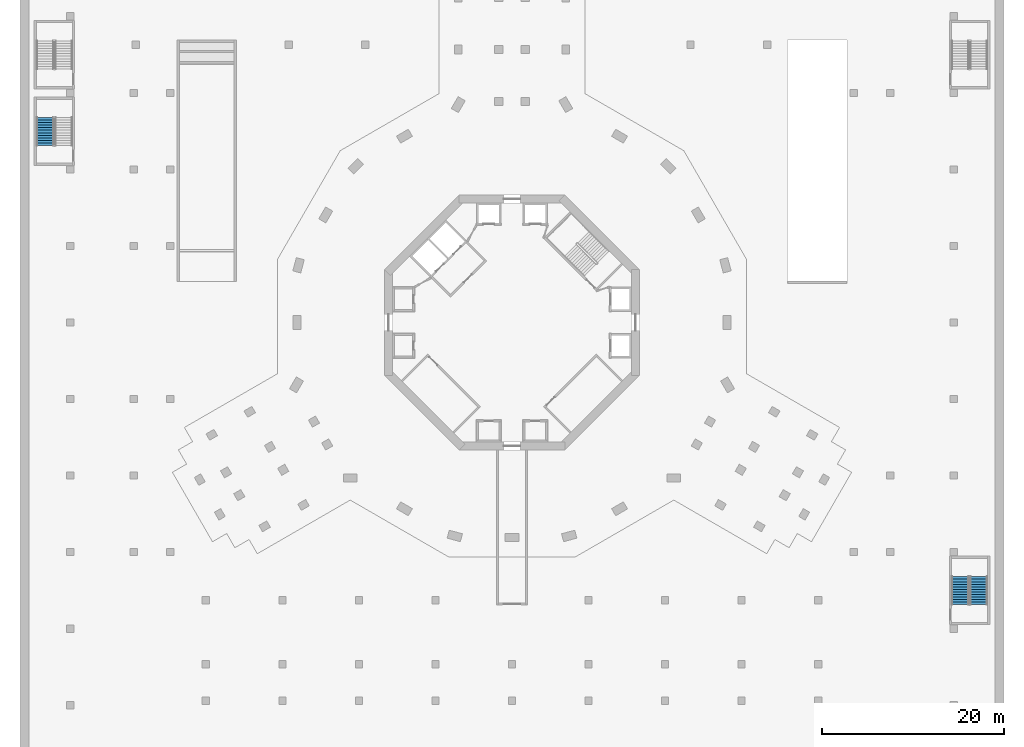
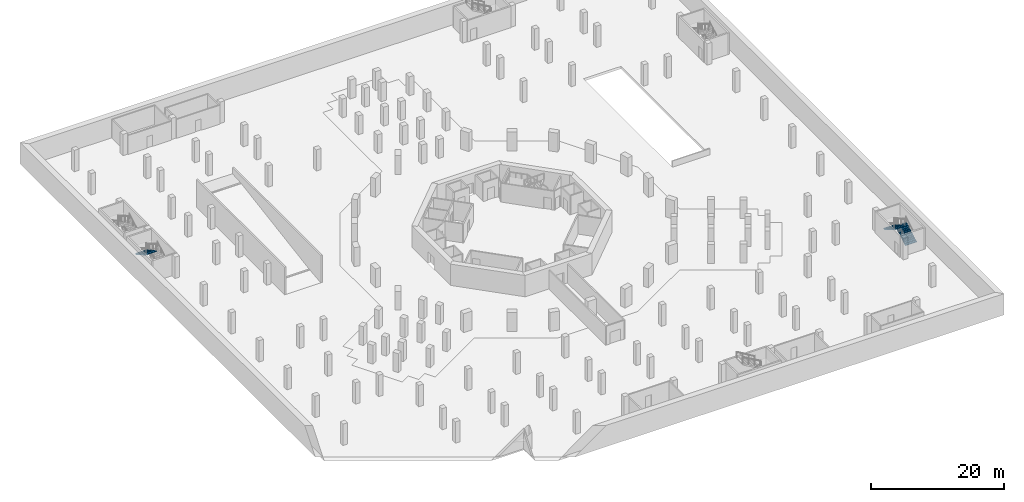
# One storey, part 15 of 25: 3 stair flights, 2 elements without a shape of their own.
"""IFC4 building model written with IfcOpenShell, lengths in metres."""

from ifc_helpers import new_model, si_unit, direction, frame, origin, place, context, subcontext, project, spatial, triangles, material, type_object, element, aggregate, save


model = new_model("IFC4")

# Units and contexts
model_context = context("Model", 3, precision=1e-05, world=origin(), true_north=direction((0.0, 1.0)))
body_context = subcontext(model_context, "Body", "Model", "MODEL_VIEW")
ifc_project = project(units=[si_unit("LENGTHUNIT", "METRE"), si_unit("AREAUNIT", "SQUARE_METRE"), si_unit("VOLUMEUNIT", "CUBIC_METRE"), si_unit("PLANEANGLEUNIT", "RADIAN"), si_unit("MASSUNIT", "GRAM", prefix="KILO")], contexts=[model_context])

# Site, building, storey
site_placement = place(None, origin())
site = spatial("IfcSite", under=ifc_project, at=site_placement, CompositionType="ELEMENT")
building_placement = place(site_placement, origin())
building = spatial("IfcBuilding", under=site, at=building_placement, Name="Verdalira Terraces Hotel", CompositionType="ELEMENT")
storey_placement = place(building_placement, frame((0.0, 0.0, -7.800049)))
storey = spatial("IfcBuildingStorey", under=building, at=storey_placement, Name="B2", CompositionType="ELEMENT", Elevation=-7.800048828125)

# Stair, stair flights
ifc_material_1 = material(Name="Concrete C40", Category="concrete")
stair_type = type_object("IfcStairType", Name="Car park stair 24 risers", PredefinedType="HALF_TURN_STAIR", material=ifc_material_1)
stair_1_placement = place(storey_placement, origin())
stair_1 = element("IfcStair", 1, at=stair_1_placement, inside=storey, type_object=stair_type, Name="B2 Exit stair Basement stair 2", PredefinedType="HALF_TURN_STAIR")
ifc_material_2 = material(Name="Concrete C40", Category="concrete")
stair_flight_type = type_object("IfcStairFlightType", Name="Car park stair flight 24 risers", PredefinedType="STRAIGHT", material=ifc_material_2)
stair_flight_1_placement = place(storey_placement, frame((51.237549, -30.975098, 0.0), z_axis=(0.0, 0.0, 1.0), x_axis=(0.0, 1.0, 0.0)))
stair_flight_1 = element("IfcStairFlight", 2, at=stair_flight_1_placement, type_object=stair_flight_type, Name="Basement stair 2 flight 1", NumberOfRisers=12, NumberOfTreads=11, PredefinedType="STRAIGHT", RiserHeight=0.1625, TreadLength=0.28, context=body_context, shape_type="Tessellation", body=[
    triangles([(0.0, 0.962524, 0.0), (0.298584, 0.962524, 0.0), (3.080078, 0.962524, 1.614258), (0.0, -0.962524, 0.0), (0.298584, -0.962524, 0.0), (3.080078, -0.962524, 1.614258), (3.080078, 0.962524, 1.787598), (2.800049, 0.962524, 1.787598), (3.080078, -0.962524, 1.787598), (2.800049, -0.962524, 1.787598), (2.800049, 0.962524, 1.625), (2.800049, -0.962524, 1.625), (2.52002, 0.962524, 1.625), (2.52002, -0.962524, 1.625), (2.52002, 0.962524, 1.462402), (2.52002, -0.962524, 1.462402), (2.23999, 0.962524, 1.462402), (2.23999, 0.962524, 1.300049), (2.23999, -0.962524, 1.462402), (2.23999, -0.962524, 1.300049), (1.959961, 0.962524, 1.300049), (1.959961, 0.962524, 1.137451), (1.959961, -0.962524, 1.300049), (1.959961, -0.962524, 1.137451), (1.679932, 0.962524, 1.137451), (1.679932, 0.962524, 0.975098), (1.679932, -0.962524, 1.137451), (1.679932, -0.962524, 0.975098), (1.399902, 0.962524, 0.975098), (1.399902, 0.962524, 0.8125), (1.399902, -0.962524, 0.975098), (1.399902, -0.962524, 0.8125), (1.120117, 0.962524, 0.8125), (1.120117, 0.962524, 0.649902), (1.120117, -0.962524, 0.8125), (1.120117, -0.962524, 0.649902), (0.840088, 0.962524, 0.649902), (0.840088, 0.962524, 0.487549), (0.840088, -0.962524, 0.649902), (0.840088, -0.962524, 0.487549), (0.560059, 0.962524, 0.487549), (0.560059, 0.962524, 0.324951), (0.560059, -0.962524, 0.487549), (0.560059, -0.962524, 0.324951), (0.280029, 0.962524, 0.324951), (0.280029, 0.962524, 0.162598), (0.280029, -0.962524, 0.324951), (0.280029, -0.962524, 0.162598), (0.0, 0.962524, 0.162598), (0.0, -0.962524, 0.162598), (0.0, -0.902367, 0.0), (0.0, -0.902367, 0.162598), (0.0, -0.842209, 0.0), (0.0, -0.842209, 0.162598), (0.0, -0.782051, 0.0), (0.0, -0.782051, 0.162598), (0.0, -0.721893, 0.0), (0.0, -0.721893, 0.162598), (0.0, -0.661736, 0.0), (0.0, -0.661736, 0.162598), (0.0, -0.601578, 0.0), (0.0, -0.601578, 0.162598), (0.0, -0.54142, 0.0), (0.0, -0.54142, 0.162598), (0.0, -0.481262, 0.0), (0.0, -0.481262, 0.162598), (0.0, -0.421104, 0.0), (0.0, -0.421104, 0.162598), (0.0, -0.360947, 0.0), (0.0, -0.360947, 0.162598), (0.0, -0.300789, 0.0), (0.0, -0.300789, 0.162598), (0.0, -0.240631, 0.0), (0.0, -0.240631, 0.162598), (0.0, -0.180473, 0.0), (0.0, -0.180473, 0.162598), (0.0, -0.120316, 0.0), (0.0, -0.120316, 0.162598), (0.0, -0.060158, 0.0), (0.0, -0.060158, 0.162598), (0.0, 0.0, 0.0), (0.0, 0.0, 0.162598), (0.0, 0.060158, 0.0), (0.0, 0.060158, 0.162598), (0.0, 0.120316, 0.0), (0.0, 0.120316, 0.162598), (0.0, 0.180473, 0.0), (0.0, 0.180473, 0.162598), (0.0, 0.240631, 0.0), (0.0, 0.240631, 0.162598), (0.0, 0.300789, 0.0), (0.0, 0.300789, 0.162598), (0.0, 0.360947, 0.0), (0.0, 0.360947, 0.162598), (0.0, 0.421104, 0.0), (0.0, 0.421104, 0.162598), (0.0, 0.481262, 0.0), (0.0, 0.481262, 0.162598), (0.0, 0.54142, 0.0), (0.0, 0.54142, 0.162598), (0.0, 0.601578, 0.0), (0.0, 0.601578, 0.162598), (0.0, 0.661736, 0.0), (0.0, 0.661736, 0.162598), (0.0, 0.721893, 0.0), (0.0, 0.721893, 0.162598), (0.0, 0.782051, 0.0), (0.0, 0.782051, 0.162598), (0.0, 0.842209, 0.0), (0.0, 0.842209, 0.162598), (0.0, 0.902367, 0.0), (0.0, 0.902367, 0.162598), (3.080078, -0.902367, 1.787598), (3.080078, -0.842209, 1.787598), (3.080078, -0.782051, 1.787598), (3.080078, -0.721893, 1.787598), (3.080078, -0.661736, 1.787598), (3.080078, -0.601578, 1.787598), (3.080078, -0.54142, 1.787598), (3.080078, -0.481262, 1.787598), (3.080078, -0.421104, 1.787598), (3.080078, -0.360947, 1.787598), (3.080078, -0.300789, 1.787598), (3.080078, -0.240631, 1.787598), (3.080078, -0.180473, 1.787598), (3.080078, -0.120316, 1.787598), (3.080078, -0.060158, 1.787598), (3.080078, 0.0, 1.787598), (3.080078, 0.060158, 1.787598), (3.080078, 0.120316, 1.787598), (3.080078, 0.180473, 1.787598), (3.080078, 0.240631, 1.787598), (3.080078, 0.300789, 1.787598), (3.080078, 0.360947, 1.787598), (3.080078, 0.421104, 1.787598), (3.080078, 0.481262, 1.787598), (3.080078, 0.54142, 1.787598), (3.080078, 0.601578, 1.787598), (3.080078, 0.661736, 1.787598), (3.080078, 0.721893, 1.787598), (3.080078, 0.782051, 1.787598), (3.080078, 0.842209, 1.787598), (3.080078, 0.902367, 1.787598), (3.080078, -0.902367, 1.614258), (3.080078, -0.842209, 1.614258), (3.080078, -0.782051, 1.614258), (3.080078, -0.721893, 1.614258), (3.080078, -0.661736, 1.614258), (3.080078, -0.601578, 1.614258), (3.080078, -0.54142, 1.614258), (3.080078, -0.481262, 1.614258), (3.080078, -0.421104, 1.614258), (3.080078, -0.360947, 1.614258), (3.080078, -0.300789, 1.614258), (3.080078, -0.240631, 1.614258), (3.080078, -0.180473, 1.614258), (3.080078, -0.120316, 1.614258), (3.080078, -0.060158, 1.614258), (3.080078, 0.0, 1.614258), (3.080078, 0.060158, 1.614258), (3.080078, 0.120316, 1.614258), (3.080078, 0.180473, 1.614258), (3.080078, 0.240631, 1.614258), (3.080078, 0.300789, 1.614258), (3.080078, 0.360947, 1.614258), (3.080078, 0.421104, 1.614258), (3.080078, 0.481262, 1.614258), (3.080078, 0.54142, 1.614258), (3.080078, 0.601578, 1.614258), (3.080078, 0.661736, 1.614258), (3.080078, 0.721893, 1.614258), (3.080078, 0.782051, 1.614258), (3.080078, 0.842209, 1.614258), (3.080078, 0.902367, 1.614258)], [[1, 3, 2], [4, 5, 6], [3, 8, 7], [6, 9, 10], [3, 11, 8], [6, 10, 12], [3, 13, 11], [6, 12, 14], [3, 15, 13], [6, 14, 16], [15, 18, 17], [16, 19, 20], [3, 18, 15], [6, 16, 20], [18, 22, 21], [20, 23, 24], [3, 22, 18], [6, 20, 24], [22, 26, 25], [24, 27, 28], [3, 26, 22], [6, 24, 28], [26, 30, 29], [28, 31, 32], [3, 30, 26], [6, 28, 32], [30, 34, 33], [32, 35, 36], [3, 34, 30], [6, 32, 36], [34, 38, 37], [36, 39, 40], [3, 38, 34], [6, 36, 40], [38, 42, 41], [40, 43, 44], [3, 42, 38], [6, 40, 44], [1, 42, 3], [4, 6, 44], [42, 46, 45], [44, 47, 48], [1, 46, 42], [4, 44, 48], [46, 1, 49], [48, 50, 4], [4, 52, 51], [4, 50, 52], [51, 54, 53], [51, 52, 54], [53, 56, 55], [53, 54, 56], [55, 58, 57], [55, 56, 58], [57, 60, 59], [57, 58, 60], [59, 62, 61], [59, 60, 62], [61, 64, 63], [61, 62, 64], [63, 66, 65], [63, 64, 66], [65, 68, 67], [65, 66, 68], [67, 70, 69], [67, 68, 70], [69, 72, 71], [69, 70, 72], [71, 74, 73], [71, 72, 74], [73, 76, 75], [73, 74, 76], [75, 78, 77], [75, 76, 78], [77, 80, 79], [77, 78, 80], [79, 82, 81], [79, 80, 82], [81, 84, 83], [81, 82, 84], [83, 86, 85], [83, 84, 86], [85, 88, 87], [85, 86, 88], [87, 90, 89], [87, 88, 90], [89, 92, 91], [89, 90, 92], [91, 94, 93], [91, 92, 94], [93, 96, 95], [93, 94, 96], [95, 98, 97], [95, 96, 98], [97, 100, 99], [97, 98, 100], [99, 102, 101], [99, 100, 102], [101, 104, 103], [101, 102, 104], [103, 106, 105], [103, 104, 106], [105, 108, 107], [105, 106, 108], [107, 110, 109], [107, 108, 110], [109, 112, 111], [109, 110, 112], [111, 49, 1], [111, 112, 49], [50, 48, 52], [52, 48, 54], [54, 48, 56], [56, 48, 58], [58, 48, 60], [60, 48, 62], [62, 48, 64], [64, 48, 66], [66, 48, 68], [68, 48, 70], [70, 48, 72], [72, 48, 74], [74, 48, 76], [76, 48, 78], [78, 48, 80], [80, 48, 82], [82, 48, 84], [84, 48, 86], [86, 48, 88], [88, 48, 90], [90, 48, 92], [92, 48, 94], [94, 48, 96], [96, 48, 98], [98, 48, 100], [100, 48, 102], [102, 48, 104], [104, 48, 106], [106, 48, 108], [108, 48, 110], [110, 48, 112], [112, 48, 49], [49, 48, 46], [48, 45, 46], [48, 47, 45], [47, 42, 45], [47, 44, 42], [44, 41, 42], [44, 43, 41], [43, 38, 41], [43, 40, 38], [40, 37, 38], [40, 39, 37], [39, 34, 37], [39, 36, 34], [36, 33, 34], [36, 35, 33], [35, 30, 33], [35, 32, 30], [32, 29, 30], [32, 31, 29], [31, 26, 29], [31, 28, 26], [28, 25, 26], [28, 27, 25], [27, 22, 25], [27, 24, 22], [24, 21, 22], [24, 23, 21], [23, 18, 21], [23, 20, 18], [20, 17, 18], [20, 19, 17], [19, 15, 17], [19, 16, 15], [16, 13, 15], [16, 14, 13], [14, 11, 13], [14, 12, 11], [12, 8, 11], [12, 10, 8], [9, 113, 10], [113, 114, 10], [114, 115, 10], [115, 116, 10], [116, 117, 10], [117, 118, 10], [118, 119, 10], [119, 120, 10], [120, 121, 10], [121, 122, 10], [122, 123, 10], [123, 124, 10], [124, 125, 10], [125, 126, 10], [126, 127, 10], [127, 128, 10], [128, 129, 10], [129, 130, 10], [130, 131, 10], [131, 132, 10], [132, 133, 10], [133, 134, 10], [134, 135, 10], [135, 136, 10], [136, 137, 10], [137, 138, 10], [138, 139, 10], [139, 140, 10], [140, 141, 10], [141, 142, 10], [142, 143, 10], [143, 7, 10], [7, 8, 10], [9, 144, 113], [9, 6, 144], [113, 145, 114], [113, 144, 145], [114, 146, 115], [114, 145, 146], [115, 147, 116], [115, 146, 147], [116, 148, 117], [116, 147, 148], [117, 149, 118], [117, 148, 149], [118, 150, 119], [118, 149, 150], [119, 151, 120], [119, 150, 151], [120, 152, 121], [120, 151, 152], [121, 153, 122], [121, 152, 153], [122, 154, 123], [122, 153, 154], [123, 155, 124], [123, 154, 155], [124, 156, 125], [124, 155, 156], [125, 157, 126], [125, 156, 157], [126, 158, 127], [126, 157, 158], [127, 159, 128], [127, 158, 159], [128, 160, 129], [128, 159, 160], [129, 161, 130], [129, 160, 161], [130, 162, 131], [130, 161, 162], [131, 163, 132], [131, 162, 163], [132, 164, 133], [132, 163, 164], [133, 165, 134], [133, 164, 165], [134, 166, 135], [134, 165, 166], [135, 167, 136], [135, 166, 167], [136, 168, 137], [136, 167, 168], [137, 169, 138], [137, 168, 169], [138, 170, 139], [138, 169, 170], [139, 171, 140], [139, 170, 171], [140, 172, 141], [140, 171, 172], [141, 173, 142], [141, 172, 173], [142, 174, 143], [142, 173, 174], [143, 3, 7], [143, 174, 3], [6, 5, 144], [144, 5, 145], [145, 5, 146], [146, 5, 147], [147, 5, 148], [148, 5, 149], [149, 5, 150], [150, 5, 151], [151, 5, 152], [152, 5, 153], [153, 5, 154], [154, 5, 155], [155, 5, 156], [156, 5, 157], [157, 5, 158], [158, 5, 159], [159, 5, 160], [160, 5, 161], [161, 5, 162], [162, 5, 163], [163, 5, 164], [164, 5, 165], [165, 5, 166], [166, 5, 167], [167, 5, 168], [168, 5, 169], [169, 5, 170], [170, 5, 171], [171, 5, 172], [172, 5, 173], [173, 5, 174], [174, 5, 3], [3, 5, 2], [4, 51, 5], [51, 53, 5], [53, 55, 5], [55, 57, 5], [57, 59, 5], [59, 61, 5], [61, 63, 5], [63, 65, 5], [65, 67, 5], [67, 69, 5], [69, 71, 5], [71, 73, 5], [73, 75, 5], [75, 77, 5], [77, 79, 5], [79, 81, 5], [81, 83, 5], [83, 85, 5], [85, 87, 5], [87, 89, 5], [89, 91, 5], [91, 93, 5], [93, 95, 5], [95, 97, 5], [97, 99, 5], [99, 101, 5], [101, 103, 5], [103, 105, 5], [105, 107, 5], [107, 109, 5], [109, 111, 5], [111, 1, 5], [1, 2, 5]], closed=True),
])
stair_flight_2_placement = place(storey_placement, frame((49.212402, -27.89502, 1.949951), z_axis=(0.0, 0.0, 1.0), x_axis=(0.0, -1.0, 0.0)))
stair_flight_2 = element("IfcStairFlight", 3, at=stair_flight_2_placement, type_object=stair_flight_type, Name="Basement stair 2 flight 2", NumberOfRisers=12, NumberOfTreads=11, PredefinedType="STRAIGHT", RiserHeight=0.1625, TreadLength=0.28, context=body_context, shape_type="Tessellation", body=[
    triangles([(0.0, 0.962524, 0.0), (0.298584, 0.962524, 0.0), (3.080078, 0.962524, 1.614258), (0.0, -0.962524, 0.0), (0.298584, -0.962524, 0.0), (3.080078, -0.962524, 1.614258), (3.080078, 0.962524, 1.787598), (2.800049, 0.962524, 1.787598), (3.080078, -0.962524, 1.787598), (2.800049, -0.962524, 1.787598), (2.800049, 0.962524, 1.625), (2.800049, -0.962524, 1.625), (2.52002, 0.962524, 1.625), (2.52002, -0.962524, 1.625), (2.52002, 0.962524, 1.462402), (2.52002, -0.962524, 1.462402), (2.23999, 0.962524, 1.462402), (2.23999, 0.962524, 1.300049), (2.23999, -0.962524, 1.462402), (2.23999, -0.962524, 1.300049), (1.959961, 0.962524, 1.300049), (1.959961, 0.962524, 1.137451), (1.959961, -0.962524, 1.300049), (1.959961, -0.962524, 1.137451), (1.679932, 0.962524, 1.137451), (1.679932, 0.962524, 0.975098), (1.679932, -0.962524, 1.137451), (1.679932, -0.962524, 0.975098), (1.399902, 0.962524, 0.975098), (1.399902, 0.962524, 0.8125), (1.399902, -0.962524, 0.975098), (1.399902, -0.962524, 0.8125), (1.120117, 0.962524, 0.8125), (1.120117, 0.962524, 0.649902), (1.120117, -0.962524, 0.8125), (1.120117, -0.962524, 0.649902), (0.840088, 0.962524, 0.649902), (0.840088, 0.962524, 0.487549), (0.840088, -0.962524, 0.649902), (0.840088, -0.962524, 0.487549), (0.560059, 0.962524, 0.487549), (0.560059, 0.962524, 0.324951), (0.560059, -0.962524, 0.487549), (0.560059, -0.962524, 0.324951), (0.280029, 0.962524, 0.324951), (0.280029, 0.962524, 0.162598), (0.280029, -0.962524, 0.324951), (0.280029, -0.962524, 0.162598), (0.0, 0.962524, 0.162598), (0.0, -0.962524, 0.162598), (0.0, -0.902367, 0.0), (0.0, -0.902367, 0.162598), (0.0, -0.842209, 0.0), (0.0, -0.842209, 0.162598), (0.0, -0.782051, 0.0), (0.0, -0.782051, 0.162598), (0.0, -0.721893, 0.0), (0.0, -0.721893, 0.162598), (0.0, -0.661736, 0.0), (0.0, -0.661736, 0.162598), (0.0, -0.601578, 0.0), (0.0, -0.601578, 0.162598), (0.0, -0.54142, 0.0), (0.0, -0.54142, 0.162598), (0.0, -0.481262, 0.0), (0.0, -0.481262, 0.162598), (0.0, -0.421104, 0.0), (0.0, -0.421104, 0.162598), (0.0, -0.360947, 0.0), (0.0, -0.360947, 0.162598), (0.0, -0.300789, 0.0), (0.0, -0.300789, 0.162598), (0.0, -0.240631, 0.0), (0.0, -0.240631, 0.162598), (0.0, -0.180473, 0.0), (0.0, -0.180473, 0.162598), (0.0, -0.120316, 0.0), (0.0, -0.120316, 0.162598), (0.0, -0.060158, 0.0), (0.0, -0.060158, 0.162598), (0.0, 0.0, 0.0), (0.0, 0.0, 0.162598), (0.0, 0.060158, 0.0), (0.0, 0.060158, 0.162598), (0.0, 0.120316, 0.0), (0.0, 0.120316, 0.162598), (0.0, 0.180473, 0.0), (0.0, 0.180473, 0.162598), (0.0, 0.240631, 0.0), (0.0, 0.240631, 0.162598), (0.0, 0.300789, 0.0), (0.0, 0.300789, 0.162598), (0.0, 0.360947, 0.0), (0.0, 0.360947, 0.162598), (0.0, 0.421104, 0.0), (0.0, 0.421104, 0.162598), (0.0, 0.481262, 0.0), (0.0, 0.481262, 0.162598), (0.0, 0.54142, 0.0), (0.0, 0.54142, 0.162598), (0.0, 0.601578, 0.0), (0.0, 0.601578, 0.162598), (0.0, 0.661736, 0.0), (0.0, 0.661736, 0.162598), (0.0, 0.721893, 0.0), (0.0, 0.721893, 0.162598), (0.0, 0.782051, 0.0), (0.0, 0.782051, 0.162598), (0.0, 0.842209, 0.0), (0.0, 0.842209, 0.162598), (0.0, 0.902367, 0.0), (0.0, 0.902367, 0.162598), (3.080078, -0.902367, 1.787598), (3.080078, -0.842209, 1.787598), (3.080078, -0.782051, 1.787598), (3.080078, -0.721893, 1.787598), (3.080078, -0.661736, 1.787598), (3.080078, -0.601578, 1.787598), (3.080078, -0.54142, 1.787598), (3.080078, -0.481262, 1.787598), (3.080078, -0.421104, 1.787598), (3.080078, -0.360947, 1.787598), (3.080078, -0.300789, 1.787598), (3.080078, -0.240631, 1.787598), (3.080078, -0.180473, 1.787598), (3.080078, -0.120316, 1.787598), (3.080078, -0.060158, 1.787598), (3.080078, 0.0, 1.787598), (3.080078, 0.060158, 1.787598), (3.080078, 0.120316, 1.787598), (3.080078, 0.180473, 1.787598), (3.080078, 0.240631, 1.787598), (3.080078, 0.300789, 1.787598), (3.080078, 0.360947, 1.787598), (3.080078, 0.421104, 1.787598), (3.080078, 0.481262, 1.787598), (3.080078, 0.54142, 1.787598), (3.080078, 0.601578, 1.787598), (3.080078, 0.661736, 1.787598), (3.080078, 0.721893, 1.787598), (3.080078, 0.782051, 1.787598), (3.080078, 0.842209, 1.787598), (3.080078, 0.902367, 1.787598), (3.080078, -0.902367, 1.614258), (3.080078, -0.842209, 1.614258), (3.080078, -0.782051, 1.614258), (3.080078, -0.721893, 1.614258), (3.080078, -0.661736, 1.614258), (3.080078, -0.601578, 1.614258), (3.080078, -0.54142, 1.614258), (3.080078, -0.481262, 1.614258), (3.080078, -0.421104, 1.614258), (3.080078, -0.360947, 1.614258), (3.080078, -0.300789, 1.614258), (3.080078, -0.240631, 1.614258), (3.080078, -0.180473, 1.614258), (3.080078, -0.120316, 1.614258), (3.080078, -0.060158, 1.614258), (3.080078, 0.0, 1.614258), (3.080078, 0.060158, 1.614258), (3.080078, 0.120316, 1.614258), (3.080078, 0.180473, 1.614258), (3.080078, 0.240631, 1.614258), (3.080078, 0.300789, 1.614258), (3.080078, 0.360947, 1.614258), (3.080078, 0.421104, 1.614258), (3.080078, 0.481262, 1.614258), (3.080078, 0.54142, 1.614258), (3.080078, 0.601578, 1.614258), (3.080078, 0.661736, 1.614258), (3.080078, 0.721893, 1.614258), (3.080078, 0.782051, 1.614258), (3.080078, 0.842209, 1.614258), (3.080078, 0.902367, 1.614258)], [[1, 3, 2], [4, 5, 6], [3, 8, 7], [6, 9, 10], [3, 11, 8], [6, 10, 12], [3, 13, 11], [6, 12, 14], [3, 15, 13], [6, 14, 16], [15, 18, 17], [16, 19, 20], [3, 18, 15], [6, 16, 20], [18, 22, 21], [20, 23, 24], [3, 22, 18], [6, 20, 24], [22, 26, 25], [24, 27, 28], [3, 26, 22], [6, 24, 28], [26, 30, 29], [28, 31, 32], [3, 30, 26], [6, 28, 32], [30, 34, 33], [32, 35, 36], [3, 34, 30], [6, 32, 36], [34, 38, 37], [36, 39, 40], [3, 38, 34], [6, 36, 40], [38, 42, 41], [40, 43, 44], [3, 42, 38], [6, 40, 44], [1, 42, 3], [4, 6, 44], [42, 46, 45], [44, 47, 48], [1, 46, 42], [4, 44, 48], [46, 1, 49], [48, 50, 4], [4, 52, 51], [4, 50, 52], [51, 54, 53], [51, 52, 54], [53, 56, 55], [53, 54, 56], [55, 58, 57], [55, 56, 58], [57, 60, 59], [57, 58, 60], [59, 62, 61], [59, 60, 62], [61, 64, 63], [61, 62, 64], [63, 66, 65], [63, 64, 66], [65, 68, 67], [65, 66, 68], [67, 70, 69], [67, 68, 70], [69, 72, 71], [69, 70, 72], [71, 74, 73], [71, 72, 74], [73, 76, 75], [73, 74, 76], [75, 78, 77], [75, 76, 78], [77, 80, 79], [77, 78, 80], [79, 82, 81], [79, 80, 82], [81, 84, 83], [81, 82, 84], [83, 86, 85], [83, 84, 86], [85, 88, 87], [85, 86, 88], [87, 90, 89], [87, 88, 90], [89, 92, 91], [89, 90, 92], [91, 94, 93], [91, 92, 94], [93, 96, 95], [93, 94, 96], [95, 98, 97], [95, 96, 98], [97, 100, 99], [97, 98, 100], [99, 102, 101], [99, 100, 102], [101, 104, 103], [101, 102, 104], [103, 106, 105], [103, 104, 106], [105, 108, 107], [105, 106, 108], [107, 110, 109], [107, 108, 110], [109, 112, 111], [109, 110, 112], [111, 49, 1], [111, 112, 49], [50, 48, 52], [52, 48, 54], [54, 48, 56], [56, 48, 58], [58, 48, 60], [60, 48, 62], [62, 48, 64], [64, 48, 66], [66, 48, 68], [68, 48, 70], [70, 48, 72], [72, 48, 74], [74, 48, 76], [76, 48, 78], [78, 48, 80], [80, 48, 82], [82, 48, 84], [84, 48, 86], [86, 48, 88], [88, 48, 90], [90, 48, 92], [92, 48, 94], [94, 48, 96], [96, 48, 98], [98, 48, 100], [100, 48, 102], [102, 48, 104], [104, 48, 106], [106, 48, 108], [108, 48, 110], [110, 48, 112], [112, 48, 49], [49, 48, 46], [48, 45, 46], [48, 47, 45], [47, 42, 45], [47, 44, 42], [44, 41, 42], [44, 43, 41], [43, 38, 41], [43, 40, 38], [40, 37, 38], [40, 39, 37], [39, 34, 37], [39, 36, 34], [36, 33, 34], [36, 35, 33], [35, 30, 33], [35, 32, 30], [32, 29, 30], [32, 31, 29], [31, 26, 29], [31, 28, 26], [28, 25, 26], [28, 27, 25], [27, 22, 25], [27, 24, 22], [24, 21, 22], [24, 23, 21], [23, 18, 21], [23, 20, 18], [20, 17, 18], [20, 19, 17], [19, 15, 17], [19, 16, 15], [16, 13, 15], [16, 14, 13], [14, 11, 13], [14, 12, 11], [12, 8, 11], [12, 10, 8], [9, 113, 10], [113, 114, 10], [114, 115, 10], [115, 116, 10], [116, 117, 10], [117, 118, 10], [118, 119, 10], [119, 120, 10], [120, 121, 10], [121, 122, 10], [122, 123, 10], [123, 124, 10], [124, 125, 10], [125, 126, 10], [126, 127, 10], [127, 128, 10], [128, 129, 10], [129, 130, 10], [130, 131, 10], [131, 132, 10], [132, 133, 10], [133, 134, 10], [134, 135, 10], [135, 136, 10], [136, 137, 10], [137, 138, 10], [138, 139, 10], [139, 140, 10], [140, 141, 10], [141, 142, 10], [142, 143, 10], [143, 7, 10], [7, 8, 10], [9, 144, 113], [9, 6, 144], [113, 145, 114], [113, 144, 145], [114, 146, 115], [114, 145, 146], [115, 147, 116], [115, 146, 147], [116, 148, 117], [116, 147, 148], [117, 149, 118], [117, 148, 149], [118, 150, 119], [118, 149, 150], [119, 151, 120], [119, 150, 151], [120, 152, 121], [120, 151, 152], [121, 153, 122], [121, 152, 153], [122, 154, 123], [122, 153, 154], [123, 155, 124], [123, 154, 155], [124, 156, 125], [124, 155, 156], [125, 157, 126], [125, 156, 157], [126, 158, 127], [126, 157, 158], [127, 159, 128], [127, 158, 159], [128, 160, 129], [128, 159, 160], [129, 161, 130], [129, 160, 161], [130, 162, 131], [130, 161, 162], [131, 163, 132], [131, 162, 163], [132, 164, 133], [132, 163, 164], [133, 165, 134], [133, 164, 165], [134, 166, 135], [134, 165, 166], [135, 167, 136], [135, 166, 167], [136, 168, 137], [136, 167, 168], [137, 169, 138], [137, 168, 169], [138, 170, 139], [138, 169, 170], [139, 171, 140], [139, 170, 171], [140, 172, 141], [140, 171, 172], [141, 173, 142], [141, 172, 173], [142, 174, 143], [142, 173, 174], [143, 3, 7], [143, 174, 3], [6, 5, 144], [144, 5, 145], [145, 5, 146], [146, 5, 147], [147, 5, 148], [148, 5, 149], [149, 5, 150], [150, 5, 151], [151, 5, 152], [152, 5, 153], [153, 5, 154], [154, 5, 155], [155, 5, 156], [156, 5, 157], [157, 5, 158], [158, 5, 159], [159, 5, 160], [160, 5, 161], [161, 5, 162], [162, 5, 163], [163, 5, 164], [164, 5, 165], [165, 5, 166], [166, 5, 167], [167, 5, 168], [168, 5, 169], [169, 5, 170], [170, 5, 171], [171, 5, 172], [172, 5, 173], [173, 5, 174], [174, 5, 3], [3, 5, 2], [4, 51, 5], [51, 53, 5], [53, 55, 5], [55, 57, 5], [57, 59, 5], [59, 61, 5], [61, 63, 5], [63, 65, 5], [65, 67, 5], [67, 69, 5], [69, 71, 5], [71, 73, 5], [73, 75, 5], [75, 77, 5], [77, 79, 5], [79, 81, 5], [81, 83, 5], [83, 85, 5], [85, 87, 5], [87, 89, 5], [89, 91, 5], [91, 93, 5], [93, 95, 5], [95, 97, 5], [97, 99, 5], [99, 101, 5], [101, 103, 5], [103, 105, 5], [105, 107, 5], [107, 109, 5], [109, 111, 5], [111, 1, 5], [1, 2, 5]], closed=True),
])
aggregate(stair_1, [stair_flight_1, stair_flight_2])

# Stair, stair flight
stair_2_placement = place(storey_placement, origin())
stair_2 = element("IfcStair", 4, at=stair_2_placement, inside=storey, type_object=stair_type, Name="B2 Exit stair Basement stair 7", PredefinedType="HALF_TURN_STAIR")
stair_flight_3_placement = place(storey_placement, frame((-51.237549, 22.504883, 1.949951), z_axis=(0.0, 0.0, 1.0), x_axis=(0.0, -1.0, 0.0)))
stair_flight_3 = element("IfcStairFlight", 5, at=stair_flight_3_placement, type_object=stair_flight_type, Name="Basement stair 7 flight 2", NumberOfRisers=12, NumberOfTreads=11, PredefinedType="STRAIGHT", RiserHeight=0.1625, TreadLength=0.28, context=body_context, shape_type="Tessellation", body=[
    triangles([(0.0, 0.962524, 0.0), (0.298584, 0.962524, 0.0), (3.080078, 0.962524, 1.614258), (0.0, -0.962524, 0.0), (0.298584, -0.962524, 0.0), (3.080078, -0.962524, 1.614258), (3.080078, 0.962524, 1.787598), (2.800049, 0.962524, 1.787598), (3.080078, -0.962524, 1.787598), (2.800049, -0.962524, 1.787598), (2.800049, 0.962524, 1.625), (2.800049, -0.962524, 1.625), (2.52002, 0.962524, 1.625), (2.52002, -0.962524, 1.625), (2.52002, 0.962524, 1.462402), (2.52002, -0.962524, 1.462402), (2.23999, 0.962524, 1.462402), (2.23999, 0.962524, 1.300049), (2.23999, -0.962524, 1.462402), (2.23999, -0.962524, 1.300049), (1.959961, 0.962524, 1.300049), (1.959961, 0.962524, 1.137451), (1.959961, -0.962524, 1.300049), (1.959961, -0.962524, 1.137451), (1.679932, 0.962524, 1.137451), (1.679932, 0.962524, 0.975098), (1.679932, -0.962524, 1.137451), (1.679932, -0.962524, 0.975098), (1.399902, 0.962524, 0.975098), (1.399902, 0.962524, 0.8125), (1.399902, -0.962524, 0.975098), (1.399902, -0.962524, 0.8125), (1.120117, 0.962524, 0.8125), (1.120117, 0.962524, 0.649902), (1.120117, -0.962524, 0.8125), (1.120117, -0.962524, 0.649902), (0.840088, 0.962524, 0.649902), (0.840088, 0.962524, 0.487549), (0.840088, -0.962524, 0.649902), (0.840088, -0.962524, 0.487549), (0.560059, 0.962524, 0.487549), (0.560059, 0.962524, 0.324951), (0.560059, -0.962524, 0.487549), (0.560059, -0.962524, 0.324951), (0.280029, 0.962524, 0.324951), (0.280029, 0.962524, 0.162598), (0.280029, -0.962524, 0.324951), (0.280029, -0.962524, 0.162598), (0.0, 0.962524, 0.162598), (0.0, -0.962524, 0.162598), (0.0, -0.902367, 0.0), (0.0, -0.902367, 0.162598), (0.0, -0.842209, 0.0), (0.0, -0.842209, 0.162598), (0.0, -0.782051, 0.0), (0.0, -0.782051, 0.162598), (0.0, -0.721893, 0.0), (0.0, -0.721893, 0.162598), (0.0, -0.661736, 0.0), (0.0, -0.661736, 0.162598), (0.0, -0.601578, 0.0), (0.0, -0.601578, 0.162598), (0.0, -0.54142, 0.0), (0.0, -0.54142, 0.162598), (0.0, -0.481262, 0.0), (0.0, -0.481262, 0.162598), (0.0, -0.421104, 0.0), (0.0, -0.421104, 0.162598), (0.0, -0.360947, 0.0), (0.0, -0.360947, 0.162598), (0.0, -0.300789, 0.0), (0.0, -0.300789, 0.162598), (0.0, -0.240631, 0.0), (0.0, -0.240631, 0.162598), (0.0, -0.180473, 0.0), (0.0, -0.180473, 0.162598), (0.0, -0.120316, 0.0), (0.0, -0.120316, 0.162598), (0.0, -0.060158, 0.0), (0.0, -0.060158, 0.162598), (0.0, 0.0, 0.0), (0.0, 0.0, 0.162598), (0.0, 0.060158, 0.0), (0.0, 0.060158, 0.162598), (0.0, 0.120316, 0.0), (0.0, 0.120316, 0.162598), (0.0, 0.180473, 0.0), (0.0, 0.180473, 0.162598), (0.0, 0.240631, 0.0), (0.0, 0.240631, 0.162598), (0.0, 0.300789, 0.0), (0.0, 0.300789, 0.162598), (0.0, 0.360947, 0.0), (0.0, 0.360947, 0.162598), (0.0, 0.421104, 0.0), (0.0, 0.421104, 0.162598), (0.0, 0.481262, 0.0), (0.0, 0.481262, 0.162598), (0.0, 0.54142, 0.0), (0.0, 0.54142, 0.162598), (0.0, 0.601578, 0.0), (0.0, 0.601578, 0.162598), (0.0, 0.661736, 0.0), (0.0, 0.661736, 0.162598), (0.0, 0.721893, 0.0), (0.0, 0.721893, 0.162598), (0.0, 0.782051, 0.0), (0.0, 0.782051, 0.162598), (0.0, 0.842209, 0.0), (0.0, 0.842209, 0.162598), (0.0, 0.902367, 0.0), (0.0, 0.902367, 0.162598), (3.080078, -0.902367, 1.787598), (3.080078, -0.842209, 1.787598), (3.080078, -0.782051, 1.787598), (3.080078, -0.721893, 1.787598), (3.080078, -0.661736, 1.787598), (3.080078, -0.601578, 1.787598), (3.080078, -0.54142, 1.787598), (3.080078, -0.481262, 1.787598), (3.080078, -0.421104, 1.787598), (3.080078, -0.360947, 1.787598), (3.080078, -0.300789, 1.787598), (3.080078, -0.240631, 1.787598), (3.080078, -0.180473, 1.787598), (3.080078, -0.120316, 1.787598), (3.080078, -0.060158, 1.787598), (3.080078, 0.0, 1.787598), (3.080078, 0.060158, 1.787598), (3.080078, 0.120316, 1.787598), (3.080078, 0.180473, 1.787598), (3.080078, 0.240631, 1.787598), (3.080078, 0.300789, 1.787598), (3.080078, 0.360947, 1.787598), (3.080078, 0.421104, 1.787598), (3.080078, 0.481262, 1.787598), (3.080078, 0.54142, 1.787598), (3.080078, 0.601578, 1.787598), (3.080078, 0.661736, 1.787598), (3.080078, 0.721893, 1.787598), (3.080078, 0.782051, 1.787598), (3.080078, 0.842209, 1.787598), (3.080078, 0.902367, 1.787598), (3.080078, -0.902367, 1.614258), (3.080078, -0.842209, 1.614258), (3.080078, -0.782051, 1.614258), (3.080078, -0.721893, 1.614258), (3.080078, -0.661736, 1.614258), (3.080078, -0.601578, 1.614258), (3.080078, -0.54142, 1.614258), (3.080078, -0.481262, 1.614258), (3.080078, -0.421104, 1.614258), (3.080078, -0.360947, 1.614258), (3.080078, -0.300789, 1.614258), (3.080078, -0.240631, 1.614258), (3.080078, -0.180473, 1.614258), (3.080078, -0.120316, 1.614258), (3.080078, -0.060158, 1.614258), (3.080078, 0.0, 1.614258), (3.080078, 0.060158, 1.614258), (3.080078, 0.120316, 1.614258), (3.080078, 0.180473, 1.614258), (3.080078, 0.240631, 1.614258), (3.080078, 0.300789, 1.614258), (3.080078, 0.360947, 1.614258), (3.080078, 0.421104, 1.614258), (3.080078, 0.481262, 1.614258), (3.080078, 0.54142, 1.614258), (3.080078, 0.601578, 1.614258), (3.080078, 0.661736, 1.614258), (3.080078, 0.721893, 1.614258), (3.080078, 0.782051, 1.614258), (3.080078, 0.842209, 1.614258), (3.080078, 0.902367, 1.614258)], [[1, 3, 2], [4, 5, 6], [3, 8, 7], [6, 9, 10], [3, 11, 8], [6, 10, 12], [3, 13, 11], [6, 12, 14], [3, 15, 13], [6, 14, 16], [15, 18, 17], [16, 19, 20], [3, 18, 15], [6, 16, 20], [18, 22, 21], [20, 23, 24], [3, 22, 18], [6, 20, 24], [22, 26, 25], [24, 27, 28], [3, 26, 22], [6, 24, 28], [26, 30, 29], [28, 31, 32], [3, 30, 26], [6, 28, 32], [30, 34, 33], [32, 35, 36], [3, 34, 30], [6, 32, 36], [34, 38, 37], [36, 39, 40], [3, 38, 34], [6, 36, 40], [38, 42, 41], [40, 43, 44], [3, 42, 38], [6, 40, 44], [1, 42, 3], [4, 6, 44], [42, 46, 45], [44, 47, 48], [1, 46, 42], [4, 44, 48], [46, 1, 49], [48, 50, 4], [4, 52, 51], [4, 50, 52], [51, 54, 53], [51, 52, 54], [53, 56, 55], [53, 54, 56], [55, 58, 57], [55, 56, 58], [57, 60, 59], [57, 58, 60], [59, 62, 61], [59, 60, 62], [61, 64, 63], [61, 62, 64], [63, 66, 65], [63, 64, 66], [65, 68, 67], [65, 66, 68], [67, 70, 69], [67, 68, 70], [69, 72, 71], [69, 70, 72], [71, 74, 73], [71, 72, 74], [73, 76, 75], [73, 74, 76], [75, 78, 77], [75, 76, 78], [77, 80, 79], [77, 78, 80], [79, 82, 81], [79, 80, 82], [81, 84, 83], [81, 82, 84], [83, 86, 85], [83, 84, 86], [85, 88, 87], [85, 86, 88], [87, 90, 89], [87, 88, 90], [89, 92, 91], [89, 90, 92], [91, 94, 93], [91, 92, 94], [93, 96, 95], [93, 94, 96], [95, 98, 97], [95, 96, 98], [97, 100, 99], [97, 98, 100], [99, 102, 101], [99, 100, 102], [101, 104, 103], [101, 102, 104], [103, 106, 105], [103, 104, 106], [105, 108, 107], [105, 106, 108], [107, 110, 109], [107, 108, 110], [109, 112, 111], [109, 110, 112], [111, 49, 1], [111, 112, 49], [50, 48, 52], [52, 48, 54], [54, 48, 56], [56, 48, 58], [58, 48, 60], [60, 48, 62], [62, 48, 64], [64, 48, 66], [66, 48, 68], [68, 48, 70], [70, 48, 72], [72, 48, 74], [74, 48, 76], [76, 48, 78], [78, 48, 80], [80, 48, 82], [82, 48, 84], [84, 48, 86], [86, 48, 88], [88, 48, 90], [90, 48, 92], [92, 48, 94], [94, 48, 96], [96, 48, 98], [98, 48, 100], [100, 48, 102], [102, 48, 104], [104, 48, 106], [106, 48, 108], [108, 48, 110], [110, 48, 112], [112, 48, 49], [49, 48, 46], [48, 45, 46], [48, 47, 45], [47, 42, 45], [47, 44, 42], [44, 41, 42], [44, 43, 41], [43, 38, 41], [43, 40, 38], [40, 37, 38], [40, 39, 37], [39, 34, 37], [39, 36, 34], [36, 33, 34], [36, 35, 33], [35, 30, 33], [35, 32, 30], [32, 29, 30], [32, 31, 29], [31, 26, 29], [31, 28, 26], [28, 25, 26], [28, 27, 25], [27, 22, 25], [27, 24, 22], [24, 21, 22], [24, 23, 21], [23, 18, 21], [23, 20, 18], [20, 17, 18], [20, 19, 17], [19, 15, 17], [19, 16, 15], [16, 13, 15], [16, 14, 13], [14, 11, 13], [14, 12, 11], [12, 8, 11], [12, 10, 8], [9, 113, 10], [113, 114, 10], [114, 115, 10], [115, 116, 10], [116, 117, 10], [117, 118, 10], [118, 119, 10], [119, 120, 10], [120, 121, 10], [121, 122, 10], [122, 123, 10], [123, 124, 10], [124, 125, 10], [125, 126, 10], [126, 127, 10], [127, 128, 10], [128, 129, 10], [129, 130, 10], [130, 131, 10], [131, 132, 10], [132, 133, 10], [133, 134, 10], [134, 135, 10], [135, 136, 10], [136, 137, 10], [137, 138, 10], [138, 139, 10], [139, 140, 10], [140, 141, 10], [141, 142, 10], [142, 143, 10], [143, 7, 10], [7, 8, 10], [9, 144, 113], [9, 6, 144], [113, 145, 114], [113, 144, 145], [114, 146, 115], [114, 145, 146], [115, 147, 116], [115, 146, 147], [116, 148, 117], [116, 147, 148], [117, 149, 118], [117, 148, 149], [118, 150, 119], [118, 149, 150], [119, 151, 120], [119, 150, 151], [120, 152, 121], [120, 151, 152], [121, 153, 122], [121, 152, 153], [122, 154, 123], [122, 153, 154], [123, 155, 124], [123, 154, 155], [124, 156, 125], [124, 155, 156], [125, 157, 126], [125, 156, 157], [126, 158, 127], [126, 157, 158], [127, 159, 128], [127, 158, 159], [128, 160, 129], [128, 159, 160], [129, 161, 130], [129, 160, 161], [130, 162, 131], [130, 161, 162], [131, 163, 132], [131, 162, 163], [132, 164, 133], [132, 163, 164], [133, 165, 134], [133, 164, 165], [134, 166, 135], [134, 165, 166], [135, 167, 136], [135, 166, 167], [136, 168, 137], [136, 167, 168], [137, 169, 138], [137, 168, 169], [138, 170, 139], [138, 169, 170], [139, 171, 140], [139, 170, 171], [140, 172, 141], [140, 171, 172], [141, 173, 142], [141, 172, 173], [142, 174, 143], [142, 173, 174], [143, 3, 7], [143, 174, 3], [6, 5, 144], [144, 5, 145], [145, 5, 146], [146, 5, 147], [147, 5, 148], [148, 5, 149], [149, 5, 150], [150, 5, 151], [151, 5, 152], [152, 5, 153], [153, 5, 154], [154, 5, 155], [155, 5, 156], [156, 5, 157], [157, 5, 158], [158, 5, 159], [159, 5, 160], [160, 5, 161], [161, 5, 162], [162, 5, 163], [163, 5, 164], [164, 5, 165], [165, 5, 166], [166, 5, 167], [167, 5, 168], [168, 5, 169], [169, 5, 170], [170, 5, 171], [171, 5, 172], [172, 5, 173], [173, 5, 174], [174, 5, 3], [3, 5, 2], [4, 51, 5], [51, 53, 5], [53, 55, 5], [55, 57, 5], [57, 59, 5], [59, 61, 5], [61, 63, 5], [63, 65, 5], [65, 67, 5], [67, 69, 5], [69, 71, 5], [71, 73, 5], [73, 75, 5], [75, 77, 5], [77, 79, 5], [79, 81, 5], [81, 83, 5], [83, 85, 5], [85, 87, 5], [87, 89, 5], [89, 91, 5], [91, 93, 5], [93, 95, 5], [95, 97, 5], [97, 99, 5], [99, 101, 5], [101, 103, 5], [103, 105, 5], [105, 107, 5], [107, 109, 5], [109, 111, 5], [111, 1, 5], [1, 2, 5]], closed=True),
])
aggregate(stair_2, [stair_flight_3])

save(model, "model.ifc")
